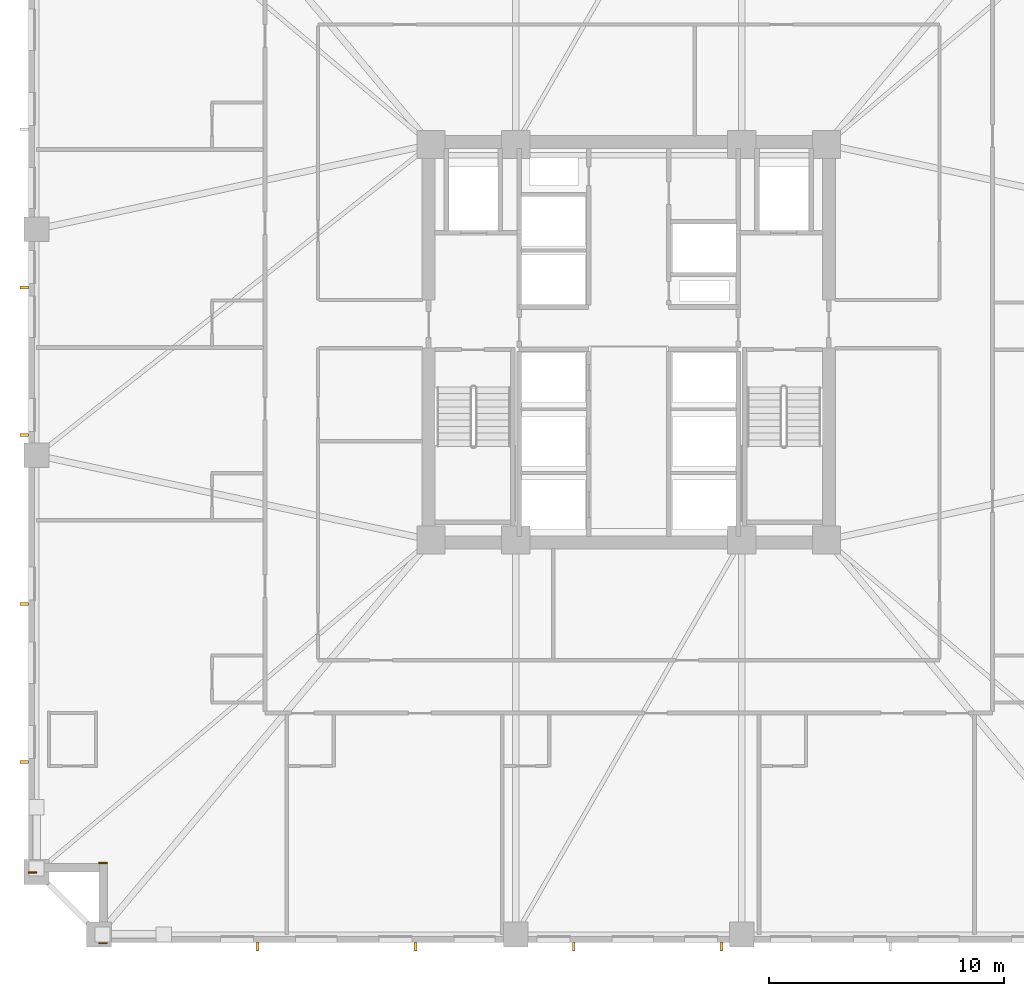
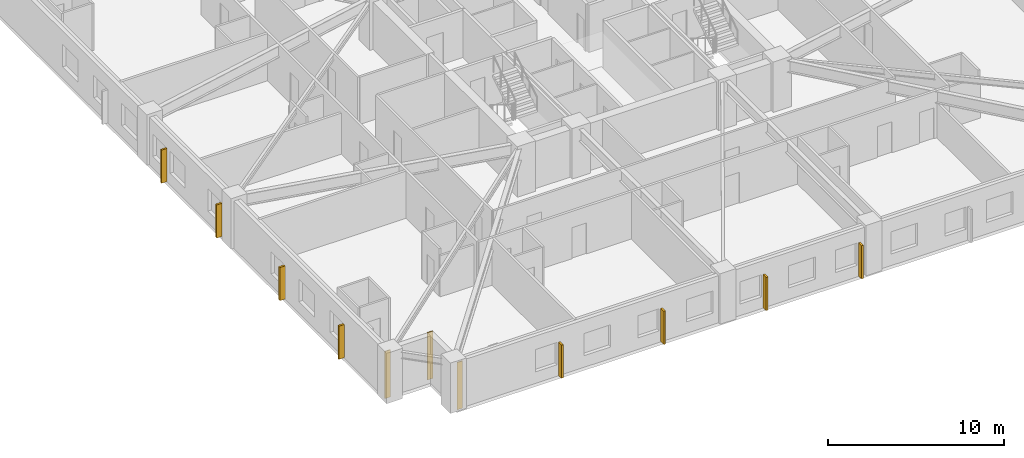
# One storey, part 8 of 12: 8 shading devices, 3 coverings.
"""IFC4 building model written with IfcOpenShell, lengths in metres."""

from ifc_helpers import new_model, si_unit, direction, frame, frame_2d, origin, origin_2d, place, context, subcontext, project, spatial, rectangle, extrude, material, layer, layer_set, type_object, element, save


model = new_model("IFC4")

# Units and contexts
model_context = context("Model", 3, precision=1e-05, world=origin(), true_north=direction((0.0, 1.0)))
body_context = subcontext(model_context, "Body", "Model", "MODEL_VIEW")
ifc_project = project(units=[si_unit("LENGTHUNIT", "METRE"), si_unit("AREAUNIT", "SQUARE_METRE"), si_unit("VOLUMEUNIT", "CUBIC_METRE"), si_unit("PLANEANGLEUNIT", "RADIAN"), si_unit("MASSUNIT", "GRAM", prefix="KILO")], contexts=[model_context])

# Site, building, storey
site_placement = place(None, origin())
site = spatial("IfcSite", under=ifc_project, at=site_placement, CompositionType="ELEMENT")
building_placement = place(site_placement, origin())
building = spatial("IfcBuilding", under=site, at=building_placement, Name="Cairnveth Concourse Tower", CompositionType="ELEMENT")
storey_placement = place(building_placement, frame((0.0, 0.0, 83.0)))
storey = spatial("IfcBuildingStorey", under=building, at=storey_placement, Name="L22", CompositionType="ELEMENT", Elevation=83.0)

# Coverings
ifc_material_1 = material(Name="Dressed Melbourne Bluestone Cladding", Category="masonry")
ifc_layer = layer(ifc_material_1, 0.050048828125)
ifc_layer_set = layer_set([ifc_layer], Name="Dressed Melbourne Bluestone Cladding")
covering_type = type_object("IfcCoveringType", Name="DRESSED BLUESTONE PLINTH CLADDING 50", PredefinedType="CLADDING", material=ifc_layer_set)
for number, where, z_axis, x_axis, name in (
    (1, (29.860107421875, 13.47998046875, 0.0), (0.0, 0.0, 1.0), (-1.0, 0.0, 0.0), "Melbourne Bluestone Corner Quoin L22-299"),
    (2, (29.860107421875, 16.8798828125, 0.0), (0.0, 0.0, 1.0), (-1.0, 0.0, 0.0), "Melbourne Bluestone Corner Quoin L22-300"),
    (3, (26.860107421875, 16.47998046875, 0.0), (0.0, 0.0, 1.0), (-1.0, 0.0, 0.0), "Melbourne Bluestone Corner Quoin L22-301"),
):
    element("IfcCovering", number, at=place(storey_placement, frame(where, z_axis=z_axis, x_axis=x_axis)), inside=storey, type_object=covering_type, Name=name, PredefinedType="CLADDING", context=body_context, shape_type="SweptSolid", body=[
        extrude(rectangle(XDim=0.360107421875, YDim=0.050048828125, at=frame_2d((0.18017578125, 0.0))), origin(), (0.0, 0.0, 1.0), 3.280029296875),
    ])

# Shading devices
ifc_material_2 = material(Name="Architectural Bronze Anodised Aluminium 6063-T6", Category="aluminium")
shading_device_type = type_object("IfcShadingDeviceType", Name="GOTHIC BRONZE VERTICAL LANCET FIN", PredefinedType="USERDEFINED", material=ifc_material_2)
for number, where, z_axis, x_axis, name in (
    (4, (55.939208984375, 13.324951171875, 0.02978515625), (0.0, 0.0, 1.0), (1.0, 0.0, 0.0), "Gothic Bronze Vertical Fin L22-3-5"),
    (5, (49.668701171875, 13.324951171875, 0.02978515625), (0.0, 0.0, 1.0), (1.0, 0.0, 0.0), "Gothic Bronze Vertical Fin L22-3-7"),
    (6, (42.948486328125, 13.324951171875, 0.02978515625), (0.0, 0.0, 1.0), (1.0, 0.0, 0.0), "Gothic Bronze Vertical Fin L22-3-9"),
    (7, (36.22802734375, 13.324951171875, 0.02978515625), (0.0, 0.0, 1.0), (1.0, 0.0, 0.0), "Gothic Bronze Vertical Fin L22-3-11"),
    (8, (26.324951171875, 21.170166015625, 0.02978515625), (0.0, 0.0, 1.0), (0.0, 1.0, 0.0), "Gothic Bronze Vertical Fin L22-6-1"),
    (9, (26.324951171875, 27.890380859375, 0.02978515625), (0.0, 0.0, 1.0), (0.0, 1.0, 0.0), "Gothic Bronze Vertical Fin L22-6-3"),
    (10, (26.324951171875, 35.060791015625, 0.02978515625), (0.0, 0.0, 1.0), (0.0, 1.0, 0.0), "Gothic Bronze Vertical Fin L22-6-5"),
    (11, (26.324951171875, 41.331298828125, 0.02978515625), (0.0, 0.0, 1.0), (0.0, 1.0, 0.0), "Gothic Bronze Vertical Fin L22-6-7"),
):
    element("IfcShadingDevice", number, at=place(storey_placement, frame(where, z_axis=z_axis, x_axis=x_axis)), inside=storey, type_object=shading_device_type, Name=name, ObjectType="VERTICAL FIN", PredefinedType="USERDEFINED", context=body_context, shape_type="SweptSolid", body=[
        extrude(rectangle(XDim=0.1201171875, YDim=0.360107421875, at=origin_2d()), origin(), (0.0, 0.0, 1.0), 2.303955078125),
    ])

save(model, "model.ifc")
